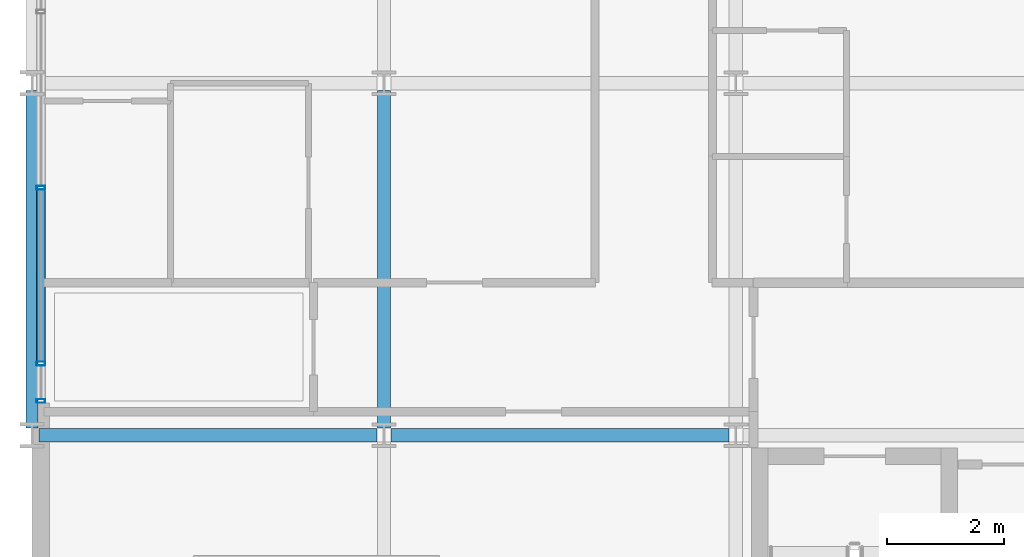
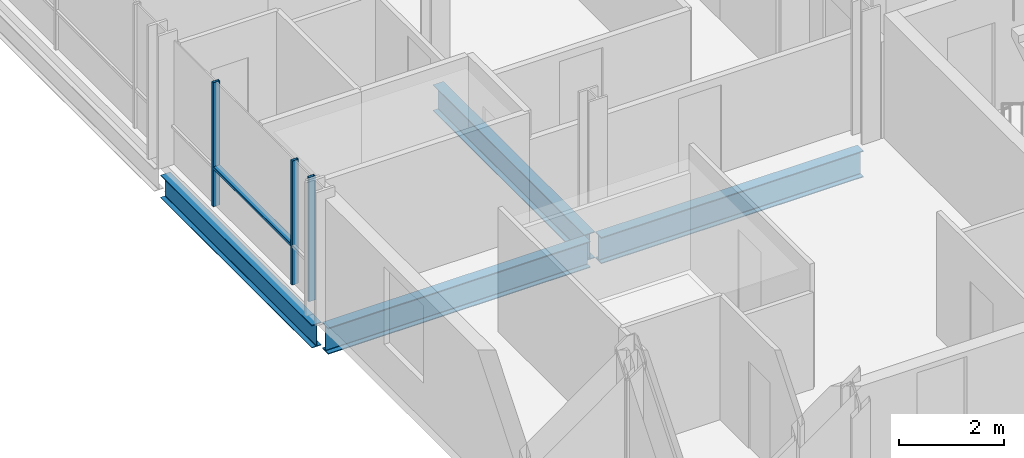
# One storey, part 2 of 41: 4 beams, 4 members, 1 element without a shape of its own.
"""IFC4 building model written with IfcOpenShell, lengths in metres."""

from ifc_helpers import new_model, si_unit, direction, frame, origin, origin_2d, place, context, subcontext, project, spatial, hollow_rectangle, i_section, extrude, material, layer, layer_set, material_profile, profile_set, type_object, element, aggregate, save


model = new_model("IFC4")

# Units and contexts
model_context = context("Model", 3, precision=1e-05, world=origin(), true_north=direction((0.0, 1.0)))
body_context = subcontext(model_context, "Body", "Model", "MODEL_VIEW")
ifc_project = project(units=[si_unit("LENGTHUNIT", "METRE"), si_unit("AREAUNIT", "SQUARE_METRE"), si_unit("VOLUMEUNIT", "CUBIC_METRE"), si_unit("PLANEANGLEUNIT", "RADIAN"), si_unit("MASSUNIT", "GRAM", prefix="KILO")], contexts=[model_context])

# Site, building, storey
site_placement = place(None, origin())
site = spatial("IfcSite", under=ifc_project, at=site_placement, CompositionType="ELEMENT")
building_placement = place(site_placement, origin())
building = spatial("IfcBuilding", under=site, at=building_placement, Name="Brevholm Reach", CompositionType="ELEMENT")
storey_placement = place(building_placement, frame((0.0, 0.0, 100.39990234375)))
storey = spatial("IfcBuildingStorey", under=building, at=storey_placement, Name="L29", CompositionType="ELEMENT", Elevation=100.39990234375)

# Beams
ifc_material_1 = material(Name="Structural Steel S355J2", Category="steel")
ifc_material_profile_1 = material_profile(ifc_material_1, i_section(OverallWidth=0.209228515625, OverallDepth=0.533203125, WebThickness=0.010009765625, FlangeThickness=0.015625, FilletRadius=0.0126953125, at=origin_2d()), Name="UKB 533x210x92")
ifc_profile_set_1 = profile_set([ifc_material_profile_1], Name="Structural Steel S355J2")
beam_type_1 = type_object("IfcBeamType", Name="BM-SP533", PredefinedType="SPANDREL", material=ifc_profile_set_1)
beam_placement = place(storey_placement, frame((0.0, 10.1201171875, -0.486572265625), z_axis=(0.0, 1.0, 0.0), x_axis=(-1.0, 0.0, 0.0)))
element("IfcBeam", 1, at=beam_placement, inside=storey, type_object=beam_type_1, Name="L29 SP-02 Framing Beam", PredefinedType="SPANDREL", context=body_context, shape_type="SweptSolid", body=[
    extrude(i_section(OverallWidth=0.209228515625, OverallDepth=0.533203125, WebThickness=0.010009765625, FlangeThickness=0.015625, FilletRadius=0.0126953125, at=origin_2d()), origin(), (0.0, 0.0, 1.0), 5.759765625),
])
ifc_material_2 = material(Name="Structural Steel S355J2", Category="steel")
ifc_material_profile_2 = material_profile(ifc_material_2, i_section(OverallWidth=0.22900390625, OverallDepth=0.6123046875, WebThickness=0.011962890625, FlangeThickness=0.01953125, FilletRadius=0.0126953125, at=origin_2d()), Name="UKB 610x229x125")
ifc_profile_set_2 = profile_set([ifc_material_profile_2], Name="Structural Steel S355J2")
beam_type_2 = type_object("IfcBeamType", Name="BM-SP610", PredefinedType="SPANDREL", material=ifc_profile_set_2)
for number, where, z_axis, x_axis, name in (
    (2, (0.1201171875, 10.0, -0.526123046875), (1.0, 0.0, 0.0), (0.0, 1.0, 0.0), "L29 SP-01 Framing Beam"),
    (3, (6.1201171875, 10.0, -0.526123046875), (1.0, 0.0, 0.0), (0.0, 1.0, 0.0), "L29 SP-01 Framing Beam"),
    (4, (6.0, 10.1201171875, -0.526123046875), (0.0, 1.0, 0.0), (-1.0, 0.0, 0.0), "L29 SP-01 Framing Beam"),
):
    element("IfcBeam", number, at=place(storey_placement, frame(where, z_axis=z_axis, x_axis=x_axis)), inside=storey, type_object=beam_type_2, Name=name, PredefinedType="SPANDREL", context=body_context, shape_type="SweptSolid", body=[
        extrude(i_section(OverallWidth=0.22900390625, OverallDepth=0.6123046875, WebThickness=0.011962890625, FlangeThickness=0.01953125, FilletRadius=0.0126953125, at=origin_2d()), origin(), (0.0, 0.0, 1.0), 5.759765625),
    ])

# Curtain wall, members
ifc_material_3 = material(Name="Dark Anodised Aluminium 6063-T6 and Solar-Control Glass", Category="aluminium")
ifc_layer = layer(ifc_material_3, 0.14990234375)
ifc_layer_set = layer_set([ifc_layer], Name="Dark Anodised Aluminium 6063-T6 and Solar-Control Glass")
curtain_wall_type = type_object("IfcCurtainWallType", Name="CW-01", PredefinedType="NOTDEFINED", material=ifc_layer_set)
curtain_wall_placement = place(storey_placement, origin())
curtain_wall = element("IfcCurtainWall", 5, at=curtain_wall_placement, inside=storey, type_object=curtain_wall_type, Name="L29 Curtain Wall CW-01", PredefinedType="NOTDEFINED")
ifc_material_4 = material(Name="Dark Anodised Aluminium 6063-T6", Category="aluminium")
ifc_material_profile_3 = material_profile(ifc_material_4, hollow_rectangle(XDim=0.06494140625, YDim=0.14990234375, WallThickness=0.0048828125, InnerFilletRadius=0.0048828125, OuterFilletRadius=0.010009765625, at=origin_2d()), Name="RHS 150x65x5")
ifc_profile_set_3 = profile_set([ifc_material_profile_3], Name="Dark Anodised Aluminium 6063-T6")
member_type_1 = type_object("IfcMemberType", Name="CWM-150", PredefinedType="MULLION", material=ifc_profile_set_3)
member_1_placement = place(storey_placement, frame((0.14990234375, 14.219970703125, 0.0), z_axis=(0.0, 0.0, 1.0), x_axis=(0.0, -1.0, 0.0)))
member_1 = element("IfcMember", 6, at=member_1_placement, type_object=member_type_1, Name="CM-150 Mullion 4", PredefinedType="MULLION", context=body_context, shape_type="SweptSolid", body=[
    extrude(hollow_rectangle(XDim=0.06494140625, YDim=0.14990234375, WallThickness=0.0048828125, InnerFilletRadius=0.0048828125, OuterFilletRadius=0.010009765625, at=origin_2d()), origin(), (0.0, 0.0, 1.0), 2.880126953125),
])
member_2_placement = place(storey_placement, frame((0.14990234375, 11.219970703125, 0.0), z_axis=(0.0, 0.0, 1.0), x_axis=(0.0, -1.0, 0.0)))
member_2 = element("IfcMember", 7, at=member_2_placement, type_object=member_type_1, Name="CM-150 Mullion 5", PredefinedType="MULLION", context=body_context, shape_type="SweptSolid", body=[
    extrude(hollow_rectangle(XDim=0.06494140625, YDim=0.14990234375, WallThickness=0.0048828125, InnerFilletRadius=0.0048828125, OuterFilletRadius=0.010009765625, at=origin_2d()), origin(), (0.0, 0.0, 1.0), 2.880126953125),
])
member_3_placement = place(storey_placement, frame((0.14990234375, 10.58251953125, 0.0), z_axis=(0.0, 0.0, 1.0), x_axis=(0.0, -1.0, 0.0)))
member_3 = element("IfcMember", 8, at=member_3_placement, type_object=member_type_1, Name="CM-150 Mullion 6", PredefinedType="MULLION", context=body_context, shape_type="SweptSolid", body=[
    extrude(hollow_rectangle(XDim=0.06494140625, YDim=0.14990234375, WallThickness=0.0048828125, InnerFilletRadius=0.0048828125, OuterFilletRadius=0.010009765625, at=origin_2d()), origin(), (0.0, 0.0, 1.0), 2.880126953125),
])
ifc_material_5 = material(Name="Dark Anodised Aluminium 6063-T6", Category="aluminium")
ifc_material_profile_4 = material_profile(ifc_material_5, hollow_rectangle(XDim=0.06494140625, YDim=0.14990234375, WallThickness=0.0048828125, InnerFilletRadius=0.0048828125, OuterFilletRadius=0.010009765625, at=origin_2d()), Name="RHS 150x65x5")
ifc_profile_set_4 = profile_set([ifc_material_profile_4], Name="Dark Anodised Aluminium 6063-T6")
member_type_2 = type_object("IfcMemberType", Name="CWT-150", PredefinedType="NOTDEFINED", material=ifc_profile_set_4)
member_4_placement = place(storey_placement, frame((0.14990234375, 14.1875, 0.900146484375), z_axis=(0.0, -1.0, 0.0), x_axis=(0.0, 0.0, 1.0)))
member_4 = element("IfcMember", 9, at=member_4_placement, type_object=member_type_2, Name="CT-150 Transom 4.1", ObjectType="TRANSOM", PredefinedType="USERDEFINED", context=body_context, shape_type="SweptSolid", body=[
    extrude(hollow_rectangle(XDim=0.06494140625, YDim=0.14990234375, WallThickness=0.0048828125, InnerFilletRadius=0.0048828125, OuterFilletRadius=0.010009765625, at=origin_2d()), origin(), (0.0, 0.0, 1.0), 2.93505859375),
])
aggregate(curtain_wall, [member_1, member_2, member_3, member_4])

save(model, "model.ifc")
